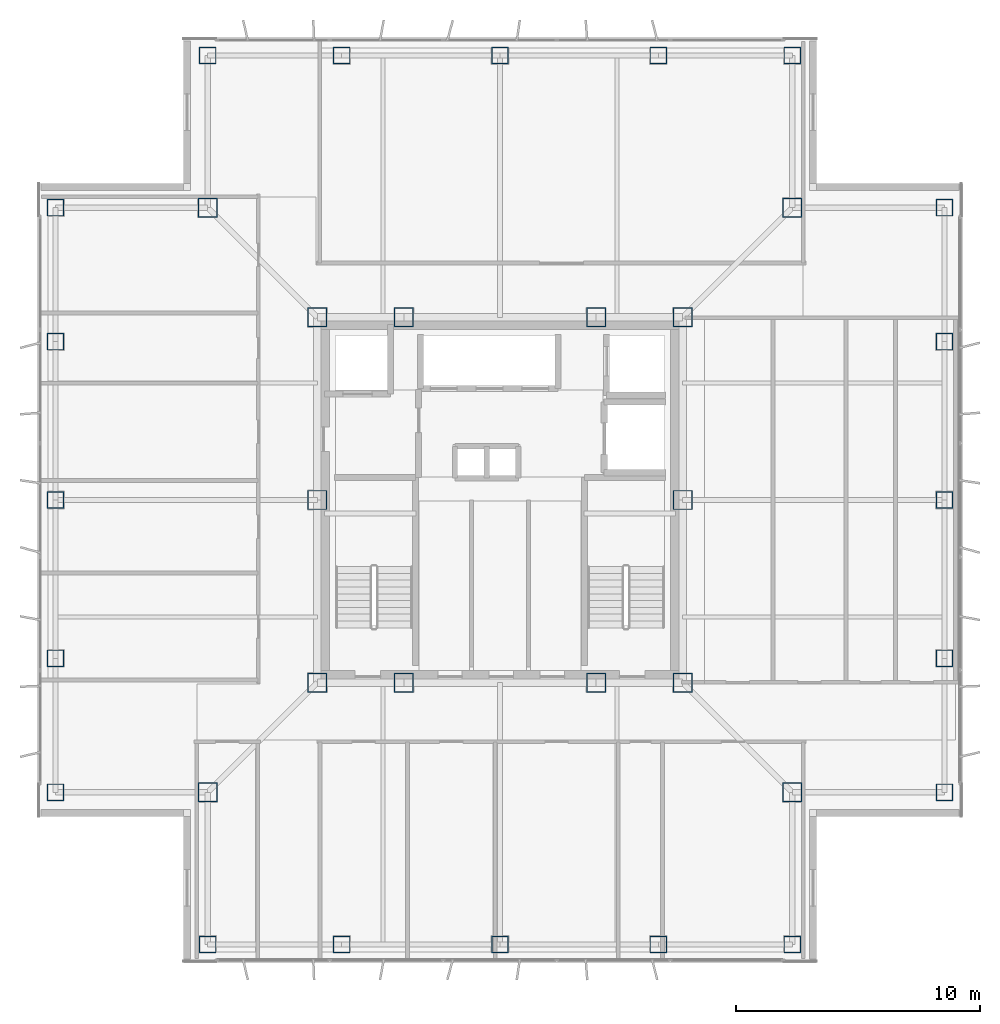
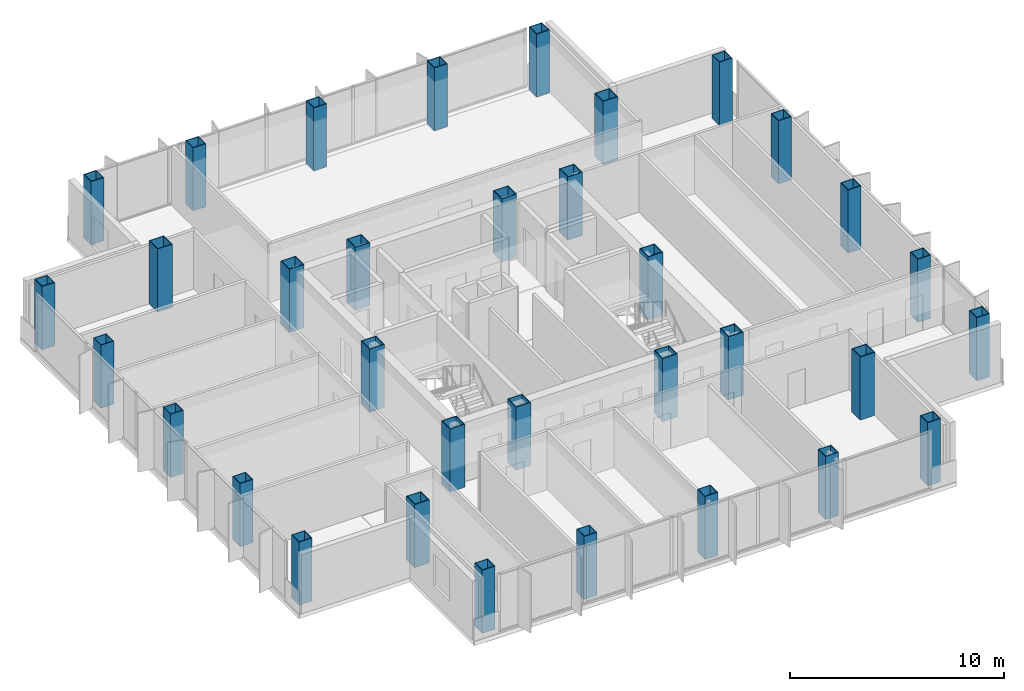
# One storey, part 1 of 15: 34 columns.
"""IFC4 building model written with IfcOpenShell, lengths in metres."""

from ifc_helpers import new_model, si_unit, direction, frame, origin, origin_2d, place, context, subcontext, project, spatial, hollow_rectangle, extrude, material, material_profile, profile_set, type_object, element, save


model = new_model("IFC4")

# Units and contexts
model_context = context("Model", 3, precision=1e-05, world=origin(), true_north=direction((0.0, 1.0)))
body_context = subcontext(model_context, "Body", "Model", "MODEL_VIEW")
ifc_project = project(units=[si_unit("LENGTHUNIT", "METRE"), si_unit("AREAUNIT", "SQUARE_METRE"), si_unit("VOLUMEUNIT", "CUBIC_METRE"), si_unit("PLANEANGLEUNIT", "RADIAN"), si_unit("MASSUNIT", "GRAM", prefix="KILO")], contexts=[model_context])

# Site, building, storey
site_placement = place(None, origin())
site = spatial("IfcSite", under=ifc_project, at=site_placement, CompositionType="ELEMENT")
building_placement = place(site_placement, origin())
building = spatial("IfcBuilding", under=site, at=building_placement, Name="Trevonay Congress Spire", CompositionType="ELEMENT")
storey_placement = place(building_placement, frame((0.0, 0.0, 293.60009765625)))
storey = spatial("IfcBuildingStorey", under=building, at=storey_placement, Name="L77", CompositionType="ELEMENT", Elevation=293.60009765625)

# Columns
ifc_material = material(Name="Steel ASTM A572 Grade 50", Category="steel")
ifc_material_profile_1 = material_profile(ifc_material, hollow_rectangle(XDim=0.800048828125, YDim=0.800048828125, WallThickness=0.0400390625, at=origin_2d()), Name="BOX 800x800x40")
ifc_profile_set_1 = profile_set([ifc_material_profile_1], Name="Steel ASTM A572 Grade 50")
column_type_1 = type_object("IfcColumnType", Name="COL-CORE-BOX800", PredefinedType="COLUMN", material=ifc_profile_set_1)
for number, where, z_axis, x_axis, name in (
    (1, (-7.5, -7.5, 0.0), (0.0, 0.0, 1.0), (1.0, 0.0, 0.0), "L77 column C05 at CC-SW"),
    (2, (-3.949951171875, -7.5, 0.0), (0.0, 0.0, 1.0), (1.0, 0.0, 0.0), "L77 column C05 at CC-SMW"),
    (3, (3.949951171875, -7.5, 0.0), (0.0, 0.0, 1.0), (1.0, 0.0, 0.0), "L77 column C05 at CC-SME"),
    (4, (7.5, -7.5, 0.0), (0.0, 0.0, 1.0), (1.0, 0.0, 0.0), "L77 column C05 at CC-SE"),
    (5, (7.5, 0.0, 0.0), (0.0, 0.0, 1.0), (1.0, 0.0, 0.0), "L77 column C05 at CC-E"),
    (6, (7.5, 7.5, 0.0), (0.0, 0.0, 1.0), (1.0, 0.0, 0.0), "L77 column C05 at CC-NE"),
    (7, (3.949951171875, 7.5, 0.0), (0.0, 0.0, 1.0), (1.0, 0.0, 0.0), "L77 column C05 at CC-NME"),
    (8, (-3.949951171875, 7.5, 0.0), (0.0, 0.0, 1.0), (1.0, 0.0, 0.0), "L77 column C05 at CC-NMW"),
    (9, (-7.5, 7.5, 0.0), (0.0, 0.0, 1.0), (1.0, 0.0, 0.0), "L77 column C05 at CC-NW"),
    (10, (-7.5, 0.0, 0.0), (0.0, 0.0, 1.0), (1.0, 0.0, 0.0), "L77 column C05 at CC-W"),
):
    element("IfcColumn", number, at=place(storey_placement, frame(where, z_axis=z_axis, x_axis=x_axis)), inside=storey, type_object=column_type_1, Name=name, PredefinedType="COLUMN", context=body_context, shape_type="SweptSolid", body=[
        extrude(hollow_rectangle(XDim=0.800048828125, YDim=0.800048828125, WallThickness=0.0400390625, at=origin_2d()), origin(), (0.0, 0.0, 1.0), 3.599853515625),
    ])
ifc_material_profile_2 = material_profile(ifc_material, hollow_rectangle(XDim=0.699951171875, YDim=0.699951171875, WallThickness=0.034912109375, at=origin_2d()), Name="BOX 700x700x35")
ifc_profile_set_2 = profile_set([ifc_material_profile_2], Name="Steel ASTM A572 Grade 50")
column_type_2 = type_object("IfcColumnType", Name="COL-TUBE-BOX700", PredefinedType="COLUMN", material=ifc_profile_set_2)
for number, where, z_axis, x_axis, name in (
    (11, (-12.0, -18.25, 0.0), (0.0, 0.0, 1.0), (1.0, 0.0, 0.0), "L77 column C17 at TS-1"),
    (12, (-12.0, 18.25, 0.0), (0.0, 0.0, 1.0), (1.0, 0.0, 0.0), "L77 column C17 at TN-1"),
    (13, (-18.25, -12.0, 0.0), (0.0, 0.0, 1.0), (1.0, 0.0, 0.0), "L77 column C17 at TW-1"),
    (14, (18.25, -12.0, 0.0), (0.0, 0.0, 1.0), (1.0, 0.0, 0.0), "L77 column C17 at TE-1"),
    (15, (-6.5, -18.25, 0.0), (0.0, 0.0, 1.0), (1.0, 0.0, 0.0), "L77 column C17 at TS-2"),
    (16, (-6.5, 18.25, 0.0), (0.0, 0.0, 1.0), (1.0, 0.0, 0.0), "L77 column C17 at TN-2"),
    (17, (-18.25, -6.5, 0.0), (0.0, 0.0, 1.0), (1.0, 0.0, 0.0), "L77 column C17 at TW-2"),
    (18, (18.25, -6.5, 0.0), (0.0, 0.0, 1.0), (1.0, 0.0, 0.0), "L77 column C17 at TE-2"),
    (19, (0.0, -18.25, 0.0), (0.0, 0.0, 1.0), (1.0, 0.0, 0.0), "L77 column C17 at TS-3"),
    (20, (0.0, 18.25, 0.0), (0.0, 0.0, 1.0), (1.0, 0.0, 0.0), "L77 column C17 at TN-3"),
    (21, (-18.25, 0.0, 0.0), (0.0, 0.0, 1.0), (1.0, 0.0, 0.0), "L77 column C17 at TW-3"),
    (22, (18.25, 0.0, 0.0), (0.0, 0.0, 1.0), (1.0, 0.0, 0.0), "L77 column C17 at TE-3"),
    (23, (6.5, -18.25, 0.0), (0.0, 0.0, 1.0), (1.0, 0.0, 0.0), "L77 column C17 at TS-4"),
    (24, (6.5, 18.25, 0.0), (0.0, 0.0, 1.0), (1.0, 0.0, 0.0), "L77 column C17 at TN-4"),
    (25, (-18.25, 6.5, 0.0), (0.0, 0.0, 1.0), (1.0, 0.0, 0.0), "L77 column C17 at TW-4"),
    (26, (18.25, 6.5, 0.0), (0.0, 0.0, 1.0), (1.0, 0.0, 0.0), "L77 column C17 at TE-4"),
    (27, (12.0, -18.25, 0.0), (0.0, 0.0, 1.0), (1.0, 0.0, 0.0), "L77 column C17 at TS-5"),
    (28, (12.0, 18.25, 0.0), (0.0, 0.0, 1.0), (1.0, 0.0, 0.0), "L77 column C17 at TN-5"),
    (29, (-18.25, 12.0, 0.0), (0.0, 0.0, 1.0), (1.0, 0.0, 0.0), "L77 column C17 at TW-5"),
    (30, (18.25, 12.0, 0.0), (0.0, 0.0, 1.0), (1.0, 0.0, 0.0), "L77 column C17 at TE-5"),
):
    element("IfcColumn", number, at=place(storey_placement, frame(where, z_axis=z_axis, x_axis=x_axis)), inside=storey, type_object=column_type_2, Name=name, PredefinedType="COLUMN", context=body_context, shape_type="SweptSolid", body=[
        extrude(hollow_rectangle(XDim=0.699951171875, YDim=0.699951171875, WallThickness=0.034912109375, at=origin_2d()), origin(), (0.0, 0.0, 1.0), 3.599853515625),
    ])
ifc_material_profile_3 = material_profile(ifc_material, hollow_rectangle(XDim=0.800048828125, YDim=0.800048828125, WallThickness=0.0400390625, at=origin_2d()), Name="BOX 800x800x40")
ifc_profile_set_3 = profile_set([ifc_material_profile_3], Name="Steel ASTM A572 Grade 50")
column_type_3 = type_object("IfcColumnType", Name="COL-TUBE-BOX800", PredefinedType="COLUMN", material=ifc_profile_set_3)
for number, where, z_axis, x_axis, name in (
    (31, (-12.0, -12.0, 0.0), (0.0, 0.0, 1.0), (1.0, 0.0, 0.0), "L77 column C16 at NC-SW"),
    (32, (12.0, -12.0, 0.0), (0.0, 0.0, 1.0), (1.0, 0.0, 0.0), "L77 column C16 at NC-SE"),
    (33, (12.0, 12.0, 0.0), (0.0, 0.0, 1.0), (1.0, 0.0, 0.0), "L77 column C16 at NC-NE"),
    (34, (-12.0, 12.0, 0.0), (0.0, 0.0, 1.0), (1.0, 0.0, 0.0), "L77 column C16 at NC-NW"),
):
    element("IfcColumn", number, at=place(storey_placement, frame(where, z_axis=z_axis, x_axis=x_axis)), inside=storey, type_object=column_type_3, Name=name, PredefinedType="COLUMN", context=body_context, shape_type="SweptSolid", body=[
        extrude(hollow_rectangle(XDim=0.800048828125, YDim=0.800048828125, WallThickness=0.0400390625, at=origin_2d()), origin(), (0.0, 0.0, 1.0), 3.599853515625),
    ])

save(model, "model.ifc")
